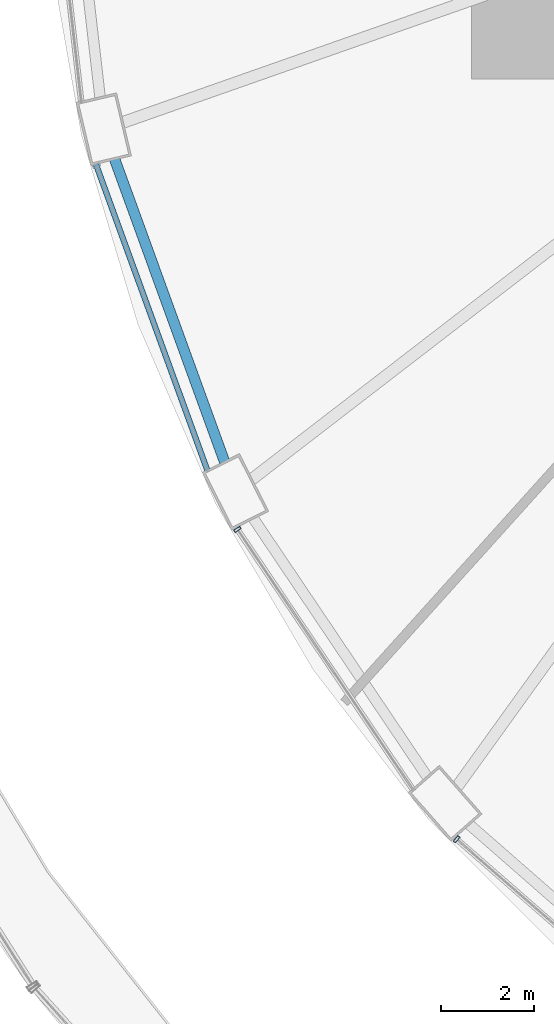
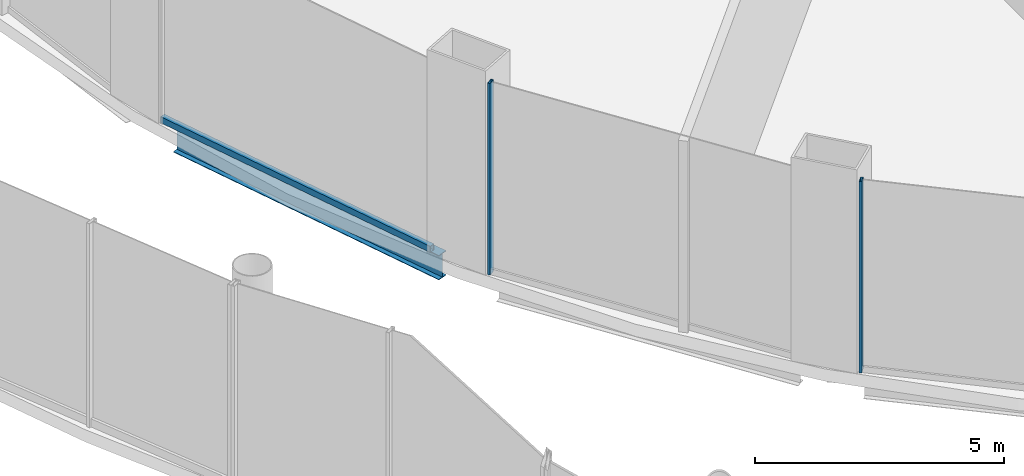
# One storey, part 6 of 47: 3 members, 1 beam, 3 elements without a shape of their own.
"""IFC4 building model written with IfcOpenShell, lengths in metres."""

from ifc_helpers import new_model, si_unit, direction, frame, origin, origin_2d, place, context, subcontext, project, spatial, hollow_rectangle, i_section, extrude, material, layer, layer_set, material_profile, profile_set, type_object, element, aggregate, save


model = new_model("IFC4")

# Units and contexts
model_context = context("Model", 3, precision=1e-05, world=origin(), true_north=direction((0.0, 1.0)))
body_context = subcontext(model_context, "Body", "Model", "MODEL_VIEW")
ifc_project = project(units=[si_unit("LENGTHUNIT", "METRE"), si_unit("AREAUNIT", "SQUARE_METRE"), si_unit("VOLUMEUNIT", "CUBIC_METRE"), si_unit("PLANEANGLEUNIT", "RADIAN"), si_unit("MASSUNIT", "GRAM", prefix="KILO")], contexts=[model_context])

# Site, building, storey
site_placement = place(None, origin())
site = spatial("IfcSite", under=ifc_project, at=site_placement, CompositionType="ELEMENT")
building_placement = place(site_placement, origin())
building = spatial("IfcBuilding", under=site, at=building_placement, Name="Nagisa Residences", CompositionType="ELEMENT")
storey_placement = place(building_placement, frame((0.0, 0.0, 17.0)))
storey = spatial("IfcBuildingStorey", under=building, at=storey_placement, Name="L03", CompositionType="ELEMENT", Elevation=17.0)

# Curtain wall, member
ifc_material_1 = material(Name="Stainless steel curtain wall system", Category="steel")
ifc_layer = layer(ifc_material_1, 0.159912109375)
ifc_layer_set = layer_set([ifc_layer], Name="CW6 CURTAIN WALL")
curtain_wall_type = type_object("IfcCurtainWallType", Name="CW6 CURTAIN WALL", PredefinedType="NOTDEFINED", material=ifc_layer_set)
curtain_wall_1_placement = place(storey_placement, origin())
curtain_wall_1 = element("IfcCurtainWall", 1, at=curtain_wall_1_placement, inside=storey, type_object=curtain_wall_type, Name="cw:CW6:L03:28", PredefinedType="NOTDEFINED")
ifc_material_2 = material(Name="Stainless steel", Category="steel")
ifc_material_profile_1 = material_profile(ifc_material_2, hollow_rectangle(XDim=0.159912109375, YDim=0.06005859375, WallThickness=0.006103515625, at=origin_2d()), Name="CW6 MULLION 160x60")
ifc_profile_set_1 = profile_set([ifc_material_profile_1], Name="Stainless steel")
member_type_1 = type_object("IfcMemberType", Name="CW6 MULLION 160x60", PredefinedType="MULLION", material=ifc_profile_set_1)
member_1_placement = place(storey_placement, frame((-21.040283203125, -17.060546875, 0.0), z_axis=(0.0, 0.0, 1.0), x_axis=(0.829110926393, 0.559084136544, 0.0)))
member_1 = element("IfcMember", 2, at=member_1_placement, type_object=member_type_1, Name="CW6 mullion", PredefinedType="MULLION", context=body_context, shape_type="SweptSolid", body=[
    extrude(hollow_rectangle(XDim=0.159912109375, YDim=0.06005859375, WallThickness=0.006103515625, at=origin_2d()), origin(), (0.0, 0.0, 1.0), 4.699951171875),
])
aggregate(curtain_wall_1, [member_1])

curtain_wall_2_placement = place(storey_placement, origin())
curtain_wall_2 = element("IfcCurtainWall", 3, at=curtain_wall_2_placement, inside=storey, type_object=curtain_wall_type, Name="cw:CW6:L03:30", PredefinedType="NOTDEFINED")
member_2_placement = place(storey_placement, frame((-16.3037109375, -23.75439453125, 0.0), z_axis=(0.0, 0.0, 1.0), x_axis=(0.657721475708, 0.753261216572, 0.0)))
member_2 = element("IfcMember", 4, at=member_2_placement, type_object=member_type_1, Name="CW6 mullion", PredefinedType="MULLION", context=body_context, shape_type="SweptSolid", body=[
    extrude(hollow_rectangle(XDim=0.159912109375, YDim=0.06005859375, WallThickness=0.006103515625, at=origin_2d()), origin(), (0.0, 0.0, 1.0), 4.699951171875),
])
aggregate(curtain_wall_2, [member_2])

curtain_wall_3_placement = place(storey_placement, origin())
curtain_wall_3 = element("IfcCurtainWall", 5, at=curtain_wall_3_placement, inside=storey, type_object=curtain_wall_type, Name="cw:CW6:L03:26", PredefinedType="NOTDEFINED")
ifc_material_3 = material(Name="Stainless steel", Category="steel")
ifc_material_profile_2 = material_profile(ifc_material_3, hollow_rectangle(XDim=0.1201171875, YDim=0.14990234375, WallThickness=0.008056640625, at=origin_2d()), Name="CW6 TRANSOM 120x150")
ifc_profile_set_2 = profile_set([ifc_material_profile_2], Name="Stainless steel")
member_type_2 = type_object("IfcMemberType", Name="CW6 TRANSOM 120x150", PredefinedType="USERDEFINED", material=ifc_profile_set_2)
member_3_placement = place(storey_placement, frame((-24.09716796875, -9.17138671875, 0.074951171875), z_axis=(0.342039719013, -0.939685495587, 0.0), x_axis=(0.939685495587, 0.342039719013, 0.0)))
member_3 = element("IfcMember", 6, at=member_3_placement, type_object=member_type_2, Name="CW6 transom", ObjectType="TRANSOM", PredefinedType="USERDEFINED", context=body_context, shape_type="SweptSolid", body=[
    extrude(hollow_rectangle(XDim=0.1201171875, YDim=0.14990234375, WallThickness=0.008056640625, at=origin_2d()), origin(), (0.0, 0.0, 1.0), 7.070068359375),
])
aggregate(curtain_wall_3, [member_3])

# Beam
ifc_material_4 = material(Name="Steel ASTM A572 Gr 50", Category="steel")
ifc_material_profile_3 = material_profile(ifc_material_4, i_section(OverallWidth=0.22802734375, OverallDepth=0.60302734375, WebThickness=0.010498046875, FlangeThickness=0.014892578125, at=origin_2d()), Name="W610x101")
ifc_profile_set_3 = profile_set([ifc_material_profile_3], Name="Steel ASTM A572 Gr 50")
beam_type = type_object("IfcBeamType", Name="Perimeter ring beam W610x101", PredefinedType="BEAM", material=ifc_profile_set_3)
beam_placement = place(storey_placement, frame((-23.695068359375, -9.055419921875, -0.6015625), z_axis=(0.341411143183, -0.939914055279, 0.0), x_axis=(0.939914055279, 0.341411143183, 0.0)))
element("IfcBeam", 7, at=beam_placement, inside=storey, type_object=beam_type, Name="beam:L03:pb14", PredefinedType="BEAM", context=body_context, shape_type="SweptSolid", body=[
    extrude(i_section(OverallWidth=0.22802734375, OverallDepth=0.60302734375, WebThickness=0.010498046875, FlangeThickness=0.014892578125, at=origin_2d()), origin(), (0.0, 0.0, 1.0), 6.96923828125),
])

save(model, "model.ifc")
